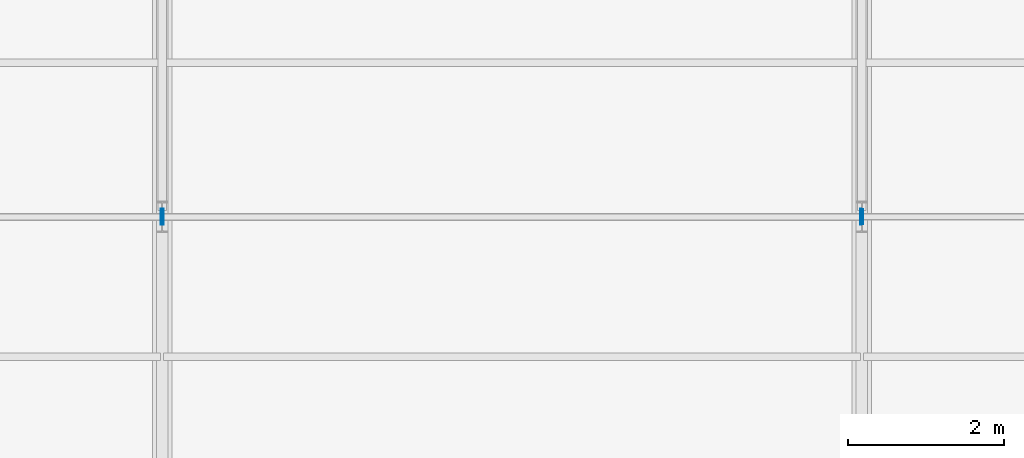
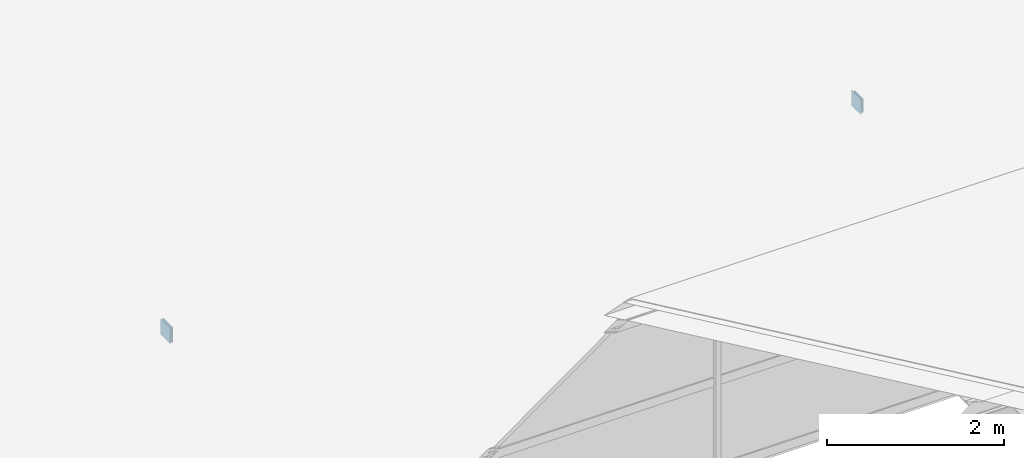
# One storey, part 136 of 163: 4 plates.
"""IFC4 building model written with IfcOpenShell, lengths in metres."""

from ifc_helpers import new_model, si_unit, direction, frame, origin, origin_2d, place, context, subcontext, project, spatial, rectangle, extrude, material, layer, layer_set, type_object, element, save


model = new_model("IFC4")

# Units and contexts
model_context = context("Model", 3, precision=1e-05, world=origin(), true_north=direction((0.0, 1.0)))
body_context = subcontext(model_context, "Body", "Model", "MODEL_VIEW")
ifc_project = project(units=[si_unit("LENGTHUNIT", "METRE"), si_unit("AREAUNIT", "SQUARE_METRE"), si_unit("VOLUMEUNIT", "CUBIC_METRE"), si_unit("PLANEANGLEUNIT", "RADIAN"), si_unit("MASSUNIT", "GRAM", prefix="KILO")], contexts=[model_context])

# Site, building, storey
site_placement = place(None, origin())
site = spatial("IfcSite", under=ifc_project, at=site_placement, CompositionType="ELEMENT")
building_placement = place(site_placement, origin())
building = spatial("IfcBuilding", under=site, at=building_placement, Name="Tharagai Park Tramway Depot", CompositionType="ELEMENT")
storey_placement = place(building_placement, frame((0.0, 0.0, 8.39990234375)))
storey = spatial("IfcBuildingStorey", under=building, at=storey_placement, Name="L02", CompositionType="ELEMENT", Elevation=8.39990234375)

# Plates
ifc_material = material(Name="Steel E350", Category="steel")
ifc_layer = layer(ifc_material, 0.011962890625)
ifc_layer_set = layer_set([ifc_layer], Name="Steel E350")
plate_type = type_object("IfcPlateType", Name="GP-04", PredefinedType="SHEET", material=ifc_layer_set)
for number, where, z_axis, x_axis, name in (
    (1, (71.986083984375, 103.5, 1.841552734375), (0.0, 0.0, 1.0), (1.0, 0.0, 0.0), "Tube End Cap Plate GP-04"),
    (2, (72.013916015625, 103.5, 1.841552734375), (0.0, 0.0, 1.0), (1.0, 0.0, 0.0), "Tube End Cap Plate GP-04"),
    (3, (80.986083984375, 103.5, 1.841552734375), (0.0, 0.0, 1.0), (1.0, 0.0, 0.0), "Tube End Cap Plate GP-04"),
):
    element("IfcPlate", number, at=place(storey_placement, frame(where, z_axis=z_axis, x_axis=x_axis)), inside=storey, type_object=plate_type, Name=name, PredefinedType="SHEET", context=body_context, shape_type="SweptSolid", body=[
        extrude(rectangle(XDim=0.011962890625, YDim=0.2099609375, at=origin_2d()), origin(), (0.0, 0.0, 1.0), 0.2099609375),
    ])
plate_placement = place(storey_placement, frame((81.013916015625, 103.5, 1.8515625), z_axis=(0.0, 0.0, 1.0), x_axis=(1.0, 0.0, 0.0)))
element("IfcPlate", 4, at=plate_placement, inside=storey, type_object=plate_type, Name="Tube End Cap Plate GP-04", PredefinedType="SHEET", context=body_context, shape_type="SweptSolid", body=[
    extrude(rectangle(XDim=0.011962890625, YDim=0.18994140625, at=origin_2d()), origin(), (0.0, 0.0, 1.0), 0.18994140625),
])

save(model, "model.ifc")
